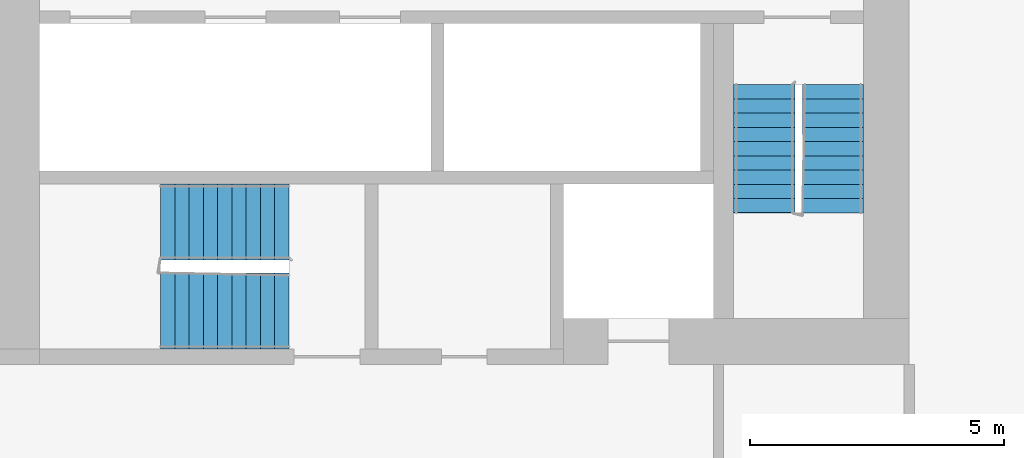
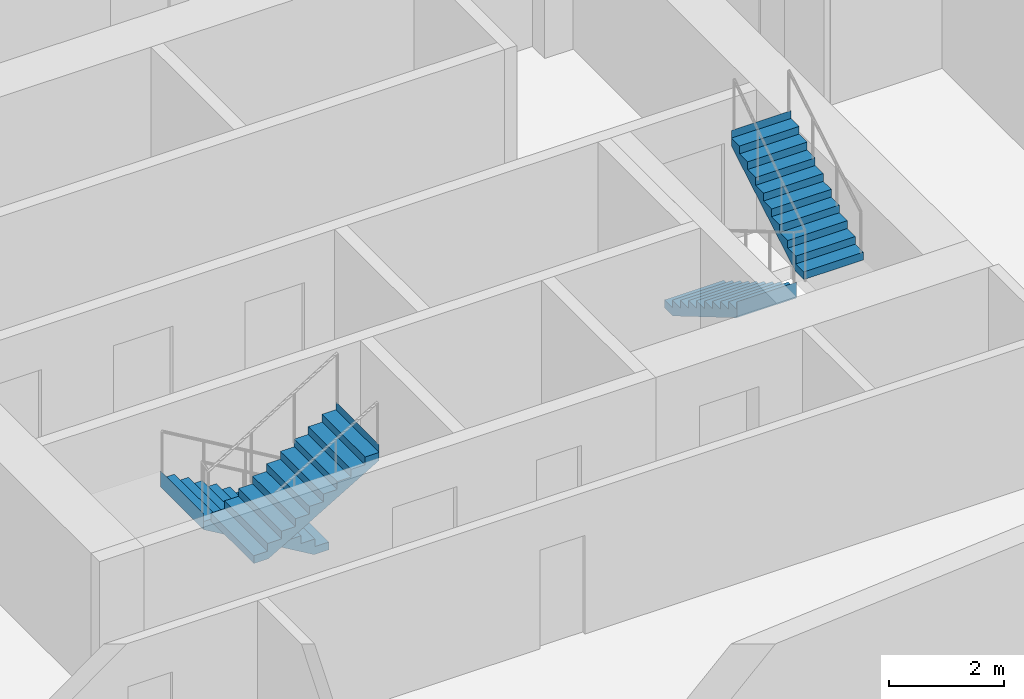
# One storey, part 9 of 12: 4 stair flights, 2 elements without a shape of their own.
"""IFC4 building model written with IfcOpenShell, lengths in metres."""

from ifc_helpers import new_model, si_unit, direction, frame, origin, place, context, subcontext, project, spatial, faceted_brep, material, type_object, element, aggregate, save


model = new_model("IFC4")

# Units and contexts
model_context = context("Model", 3, precision=1e-05, world=origin(), true_north=direction((0.0, 1.0)))
body_context = subcontext(model_context, "Body", "Model", "MODEL_VIEW")
ifc_project = project(units=[si_unit("LENGTHUNIT", "METRE"), si_unit("AREAUNIT", "SQUARE_METRE"), si_unit("VOLUMEUNIT", "CUBIC_METRE"), si_unit("PLANEANGLEUNIT", "RADIAN"), si_unit("MASSUNIT", "GRAM", prefix="KILO")], contexts=[model_context])

# Site, building, storey
site_placement = place(None, origin())
site = spatial("IfcSite", under=ifc_project, at=site_placement, CompositionType="ELEMENT")
building_placement = place(site_placement, origin())
building = spatial("IfcBuilding", under=site, at=building_placement, Name="Kajstack Hotel Tower", CompositionType="ELEMENT")
storey_placement = place(building_placement, frame((0.0, 0.0, 117.39990234375)))
storey = spatial("IfcBuildingStorey", under=building, at=storey_placement, Name="L25", CompositionType="ELEMENT", Elevation=117.39990234375)

# Stair, stair flights
ifc_material = material(Name="Concrete C40/50", Category="concrete")
stair_type_1 = type_object("IfcStairType", Name="Exit stair 1200", PredefinedType="HALF_TURN_STAIR", material=ifc_material)
stair_1_placement = place(storey_placement, origin())
stair_1 = element("IfcStair", 1, at=stair_1_placement, inside=storey, type_object=stair_type_1, Name="L25 stair W2", PredefinedType="HALF_TURN_STAIR")
stair_flight_type_1 = type_object("IfcStairFlightType", Name="Exit stair flight 1200", PredefinedType="STRAIGHT", material=ifc_material)
stair_flight_1_placement = place(storey_placement, frame((-16.35009765625, -10.0, 0.0), z_axis=(0.0, 0.0, 1.0), x_axis=(0.0, -1.0, 0.0)))
stair_flight_1 = element("IfcStairFlight", 2, at=stair_flight_1_placement, type_object=stair_flight_type_1, Name="W2 flight 1", NumberOfRisers=10, NumberOfTreads=9, PredefinedType="STRAIGHT", RiserHeight=0.165, TreadLength=0.28, context=body_context, shape_type="Brep", body=[
    faceted_brep([(0.295654296875, -0.60009765625, 0.0), (2.5205078125, -0.60009765625, 1.31103515625), (2.5205078125, -0.60009765625, 1.64990234375), (2.52001953125, -0.60009765625, 1.64990234375), (2.52001953125, -0.60009765625, 1.485107421875), (2.239990234375, -0.60009765625, 1.485107421875), (2.239990234375, -0.60009765625, 1.320068359375), (1.9599609375, -0.60009765625, 1.320068359375), (1.9599609375, -0.60009765625, 1.155029296875), (1.679931640625, -0.60009765625, 1.155029296875), (1.679931640625, -0.60009765625, 0.989990234375), (1.39990234375, -0.60009765625, 0.989990234375), (1.39990234375, -0.60009765625, 0.824951171875), (1.1201171875, -0.60009765625, 0.824951171875), (1.1201171875, -0.60009765625, 0.659912109375), (0.840087890625, -0.60009765625, 0.659912109375), (0.840087890625, -0.60009765625, 0.4951171875), (0.56005859375, -0.60009765625, 0.4951171875), (0.56005859375, -0.60009765625, 0.330078125), (0.280029296875, -0.60009765625, 0.330078125), (0.280029296875, -0.60009765625, 0.1650390625), (-0.00048828125, -0.60009765625, 0.1650390625), (-0.00048828125, -0.60009765625, 0.0), (-0.00048828125, 0.60009765625, 0.0), (-0.00048828125, 0.60009765625, 0.1650390625), (0.280029296875, 0.60009765625, 0.1650390625), (0.280029296875, 0.60009765625, 0.330078125), (0.56005859375, 0.60009765625, 0.330078125), (0.56005859375, 0.60009765625, 0.4951171875), (0.840087890625, 0.60009765625, 0.4951171875), (0.840087890625, 0.60009765625, 0.659912109375), (1.1201171875, 0.60009765625, 0.659912109375), (1.1201171875, 0.60009765625, 0.824951171875), (1.39990234375, 0.60009765625, 0.824951171875), (1.39990234375, 0.60009765625, 0.989990234375), (1.679931640625, 0.60009765625, 0.989990234375), (1.679931640625, 0.60009765625, 1.155029296875), (1.9599609375, 0.60009765625, 1.155029296875), (1.9599609375, 0.60009765625, 1.320068359375), (2.239990234375, 0.60009765625, 1.320068359375), (2.239990234375, 0.60009765625, 1.485107421875), (2.52001953125, 0.60009765625, 1.485107421875), (2.52001953125, 0.60009765625, 1.64990234375), (2.5205078125, 0.60009765625, 1.64990234375), (2.5205078125, 0.60009765625, 1.31103515625), (0.295654296875, 0.60009765625, 0.0), (-0.00048828125, -0.300048828125, 0.1650390625), (-0.00048828125, 0.0, 0.1650390625), (-0.00048828125, 0.300048828125, 0.1650390625), (-0.00048828125, 0.300048828125, 0.0), (-0.00048828125, 0.0, 0.0), (-0.00048828125, -0.300048828125, 0.0), (0.280029296875, -0.300048828125, 0.1650390625), (0.280029296875, 0.0, 0.1650390625), (0.280029296875, 0.300048828125, 0.1650390625), (0.280029296875, -0.300048828125, 0.330078125), (0.280029296875, 0.0, 0.330078125), (0.280029296875, 0.300048828125, 0.330078125), (0.56005859375, -0.300048828125, 0.330078125), (0.56005859375, 0.0, 0.330078125), (0.56005859375, 0.300048828125, 0.330078125), (0.56005859375, -0.300048828125, 0.4951171875), (0.56005859375, 0.0, 0.4951171875), (0.56005859375, 0.300048828125, 0.4951171875), (0.840087890625, -0.300048828125, 0.4951171875), (0.840087890625, 0.0, 0.4951171875), (0.840087890625, 0.300048828125, 0.4951171875), (0.840087890625, -0.300048828125, 0.659912109375), (0.840087890625, 0.0, 0.659912109375), (0.840087890625, 0.300048828125, 0.659912109375), (1.1201171875, -0.300048828125, 0.659912109375), (1.1201171875, 0.0, 0.659912109375), (1.1201171875, 0.300048828125, 0.659912109375), (1.1201171875, -0.300048828125, 0.824951171875), (1.1201171875, 0.0, 0.824951171875), (1.1201171875, 0.300048828125, 0.824951171875), (1.39990234375, -0.300048828125, 0.824951171875), (1.39990234375, 0.0, 0.824951171875), (1.39990234375, 0.300048828125, 0.824951171875), (1.39990234375, -0.300048828125, 0.989990234375), (1.39990234375, 0.0, 0.989990234375), (1.39990234375, 0.300048828125, 0.989990234375), (1.679931640625, -0.300048828125, 0.989990234375), (1.679931640625, 0.0, 0.989990234375), (1.679931640625, 0.300048828125, 0.989990234375), (1.679931640625, -0.300048828125, 1.155029296875), (1.679931640625, 0.0, 1.155029296875), (1.679931640625, 0.300048828125, 1.155029296875), (1.9599609375, -0.300048828125, 1.155029296875), (1.9599609375, 0.0, 1.155029296875), (1.9599609375, 0.300048828125, 1.155029296875), (1.9599609375, -0.300048828125, 1.320068359375), (1.9599609375, 0.0, 1.320068359375), (1.9599609375, 0.300048828125, 1.320068359375), (2.239990234375, -0.300048828125, 1.320068359375), (2.239990234375, 0.0, 1.320068359375), (2.239990234375, 0.300048828125, 1.320068359375), (2.239990234375, -0.300048828125, 1.485107421875), (2.239990234375, 0.0, 1.485107421875), (2.239990234375, 0.300048828125, 1.485107421875), (2.52001953125, -0.300048828125, 1.485107421875), (2.52001953125, 0.0, 1.485107421875), (2.52001953125, 0.300048828125, 1.485107421875), (2.52001953125, -0.300048828125, 1.64990234375), (2.52001953125, 0.0, 1.64990234375), (2.52001953125, 0.300048828125, 1.64990234375), (2.5205078125, -0.300048828125, 1.64990234375), (2.5205078125, 0.0, 1.64990234375), (2.5205078125, 0.300048828125, 1.64990234375), (2.5205078125, -0.300048828125, 1.31103515625), (2.5205078125, 0.0, 1.31103515625), (2.5205078125, 0.300048828125, 1.31103515625), (0.295654296875, -0.300048828125, 0.0), (0.295654296875, 0.0, 0.0), (0.295654296875, 0.300048828125, 0.0)], [[[0, 1, 2, 3, 4, 5, 6, 7, 8, 9, 10, 11, 12, 13, 14, 15, 16, 17, 18, 19, 20, 21, 22]], [[23, 24, 25, 26, 27, 28, 29, 30, 31, 32, 33, 34, 35, 36, 37, 38, 39, 40, 41, 42, 43, 44, 45]], [[21, 46, 47, 48, 24, 23, 49, 50, 51, 22]], [[20, 52, 53, 54, 25, 24, 48, 47, 46, 21]], [[19, 55, 56, 57, 26, 25, 54, 53, 52, 20]], [[18, 58, 59, 60, 27, 26, 57, 56, 55, 19]], [[17, 61, 62, 63, 28, 27, 60, 59, 58, 18]], [[16, 64, 65, 66, 29, 28, 63, 62, 61, 17]], [[15, 67, 68, 69, 30, 29, 66, 65, 64, 16]], [[14, 70, 71, 72, 31, 30, 69, 68, 67, 15]], [[13, 73, 74, 75, 32, 31, 72, 71, 70, 14]], [[12, 76, 77, 78, 33, 32, 75, 74, 73, 13]], [[11, 79, 80, 81, 34, 33, 78, 77, 76, 12]], [[10, 82, 83, 84, 35, 34, 81, 80, 79, 11]], [[9, 85, 86, 87, 36, 35, 84, 83, 82, 10]], [[8, 88, 89, 90, 37, 36, 87, 86, 85, 9]], [[7, 91, 92, 93, 38, 37, 90, 89, 88, 8]], [[6, 94, 95, 96, 39, 38, 93, 92, 91, 7]], [[5, 97, 98, 99, 40, 39, 96, 95, 94, 6]], [[4, 100, 101, 102, 41, 40, 99, 98, 97, 5]], [[3, 103, 104, 105, 42, 41, 102, 101, 100, 4]], [[2, 106, 107, 108, 43, 42, 105, 104, 103, 3]], [[1, 109, 110, 111, 44, 43, 108, 107, 106, 2]], [[0, 112, 113, 114, 45, 44, 111, 110, 109, 1]], [[22, 51, 50, 49, 23, 45, 114, 113, 112, 0]]]),
])
stair_flight_2_placement = place(storey_placement, frame((-15.0, -12.52001953125, 1.650146484375), z_axis=(0.0, 0.0, 1.0), x_axis=(0.0, 1.0, 0.0)))
stair_flight_2 = element("IfcStairFlight", 3, at=stair_flight_2_placement, type_object=stair_flight_type_1, Name="W2 flight 2", NumberOfRisers=10, NumberOfTreads=9, PredefinedType="STRAIGHT", RiserHeight=0.165, TreadLength=0.28, context=body_context, shape_type="Brep", body=[
    faceted_brep([(0.295654296875, -0.60009765625, 0.0), (2.5205078125, -0.60009765625, 1.31103515625), (2.5205078125, -0.60009765625, 1.64990234375), (2.52001953125, -0.60009765625, 1.64990234375), (2.52001953125, -0.60009765625, 1.485107421875), (2.239990234375, -0.60009765625, 1.485107421875), (2.239990234375, -0.60009765625, 1.320068359375), (1.9599609375, -0.60009765625, 1.320068359375), (1.9599609375, -0.60009765625, 1.155029296875), (1.679931640625, -0.60009765625, 1.155029296875), (1.679931640625, -0.60009765625, 0.989990234375), (1.39990234375, -0.60009765625, 0.989990234375), (1.39990234375, -0.60009765625, 0.824951171875), (1.1201171875, -0.60009765625, 0.824951171875), (1.1201171875, -0.60009765625, 0.659912109375), (0.840087890625, -0.60009765625, 0.659912109375), (0.840087890625, -0.60009765625, 0.4951171875), (0.56005859375, -0.60009765625, 0.4951171875), (0.56005859375, -0.60009765625, 0.330078125), (0.280029296875, -0.60009765625, 0.330078125), (0.280029296875, -0.60009765625, 0.1650390625), (-0.00048828125, -0.60009765625, 0.1650390625), (-0.00048828125, -0.60009765625, 0.0), (-0.00048828125, 0.60009765625, 0.0), (-0.00048828125, 0.60009765625, 0.1650390625), (0.280029296875, 0.60009765625, 0.1650390625), (0.280029296875, 0.60009765625, 0.330078125), (0.56005859375, 0.60009765625, 0.330078125), (0.56005859375, 0.60009765625, 0.4951171875), (0.840087890625, 0.60009765625, 0.4951171875), (0.840087890625, 0.60009765625, 0.659912109375), (1.1201171875, 0.60009765625, 0.659912109375), (1.1201171875, 0.60009765625, 0.824951171875), (1.39990234375, 0.60009765625, 0.824951171875), (1.39990234375, 0.60009765625, 0.989990234375), (1.679931640625, 0.60009765625, 0.989990234375), (1.679931640625, 0.60009765625, 1.155029296875), (1.9599609375, 0.60009765625, 1.155029296875), (1.9599609375, 0.60009765625, 1.320068359375), (2.239990234375, 0.60009765625, 1.320068359375), (2.239990234375, 0.60009765625, 1.485107421875), (2.52001953125, 0.60009765625, 1.485107421875), (2.52001953125, 0.60009765625, 1.64990234375), (2.5205078125, 0.60009765625, 1.64990234375), (2.5205078125, 0.60009765625, 1.31103515625), (0.295654296875, 0.60009765625, 0.0), (-0.00048828125, -0.300048828125, 0.1650390625), (-0.00048828125, 0.0, 0.1650390625), (-0.00048828125, 0.300048828125, 0.1650390625), (-0.00048828125, 0.300048828125, 0.0), (-0.00048828125, 0.0, 0.0), (-0.00048828125, -0.300048828125, 0.0), (0.280029296875, -0.300048828125, 0.1650390625), (0.280029296875, 0.0, 0.1650390625), (0.280029296875, 0.300048828125, 0.1650390625), (0.280029296875, -0.300048828125, 0.330078125), (0.280029296875, 0.0, 0.330078125), (0.280029296875, 0.300048828125, 0.330078125), (0.56005859375, -0.300048828125, 0.330078125), (0.56005859375, 0.0, 0.330078125), (0.56005859375, 0.300048828125, 0.330078125), (0.56005859375, -0.300048828125, 0.4951171875), (0.56005859375, 0.0, 0.4951171875), (0.56005859375, 0.300048828125, 0.4951171875), (0.840087890625, -0.300048828125, 0.4951171875), (0.840087890625, 0.0, 0.4951171875), (0.840087890625, 0.300048828125, 0.4951171875), (0.840087890625, -0.300048828125, 0.659912109375), (0.840087890625, 0.0, 0.659912109375), (0.840087890625, 0.300048828125, 0.659912109375), (1.1201171875, -0.300048828125, 0.659912109375), (1.1201171875, 0.0, 0.659912109375), (1.1201171875, 0.300048828125, 0.659912109375), (1.1201171875, -0.300048828125, 0.824951171875), (1.1201171875, 0.0, 0.824951171875), (1.1201171875, 0.300048828125, 0.824951171875), (1.39990234375, -0.300048828125, 0.824951171875), (1.39990234375, 0.0, 0.824951171875), (1.39990234375, 0.300048828125, 0.824951171875), (1.39990234375, -0.300048828125, 0.989990234375), (1.39990234375, 0.0, 0.989990234375), (1.39990234375, 0.300048828125, 0.989990234375), (1.679931640625, -0.300048828125, 0.989990234375), (1.679931640625, 0.0, 0.989990234375), (1.679931640625, 0.300048828125, 0.989990234375), (1.679931640625, -0.300048828125, 1.155029296875), (1.679931640625, 0.0, 1.155029296875), (1.679931640625, 0.300048828125, 1.155029296875), (1.9599609375, -0.300048828125, 1.155029296875), (1.9599609375, 0.0, 1.155029296875), (1.9599609375, 0.300048828125, 1.155029296875), (1.9599609375, -0.300048828125, 1.320068359375), (1.9599609375, 0.0, 1.320068359375), (1.9599609375, 0.300048828125, 1.320068359375), (2.239990234375, -0.300048828125, 1.320068359375), (2.239990234375, 0.0, 1.320068359375), (2.239990234375, 0.300048828125, 1.320068359375), (2.239990234375, -0.300048828125, 1.485107421875), (2.239990234375, 0.0, 1.485107421875), (2.239990234375, 0.300048828125, 1.485107421875), (2.52001953125, -0.300048828125, 1.485107421875), (2.52001953125, 0.0, 1.485107421875), (2.52001953125, 0.300048828125, 1.485107421875), (2.52001953125, -0.300048828125, 1.64990234375), (2.52001953125, 0.0, 1.64990234375), (2.52001953125, 0.300048828125, 1.64990234375), (2.5205078125, -0.300048828125, 1.64990234375), (2.5205078125, 0.0, 1.64990234375), (2.5205078125, 0.300048828125, 1.64990234375), (2.5205078125, -0.300048828125, 1.31103515625), (2.5205078125, 0.0, 1.31103515625), (2.5205078125, 0.300048828125, 1.31103515625), (0.295654296875, -0.300048828125, 0.0), (0.295654296875, 0.0, 0.0), (0.295654296875, 0.300048828125, 0.0)], [[[0, 1, 2, 3, 4, 5, 6, 7, 8, 9, 10, 11, 12, 13, 14, 15, 16, 17, 18, 19, 20, 21, 22]], [[23, 24, 25, 26, 27, 28, 29, 30, 31, 32, 33, 34, 35, 36, 37, 38, 39, 40, 41, 42, 43, 44, 45]], [[21, 46, 47, 48, 24, 23, 49, 50, 51, 22]], [[20, 52, 53, 54, 25, 24, 48, 47, 46, 21]], [[19, 55, 56, 57, 26, 25, 54, 53, 52, 20]], [[18, 58, 59, 60, 27, 26, 57, 56, 55, 19]], [[17, 61, 62, 63, 28, 27, 60, 59, 58, 18]], [[16, 64, 65, 66, 29, 28, 63, 62, 61, 17]], [[15, 67, 68, 69, 30, 29, 66, 65, 64, 16]], [[14, 70, 71, 72, 31, 30, 69, 68, 67, 15]], [[13, 73, 74, 75, 32, 31, 72, 71, 70, 14]], [[12, 76, 77, 78, 33, 32, 75, 74, 73, 13]], [[11, 79, 80, 81, 34, 33, 78, 77, 76, 12]], [[10, 82, 83, 84, 35, 34, 81, 80, 79, 11]], [[9, 85, 86, 87, 36, 35, 84, 83, 82, 10]], [[8, 88, 89, 90, 37, 36, 87, 86, 85, 9]], [[7, 91, 92, 93, 38, 37, 90, 89, 88, 8]], [[6, 94, 95, 96, 39, 38, 93, 92, 91, 7]], [[5, 97, 98, 99, 40, 39, 96, 95, 94, 6]], [[4, 100, 101, 102, 41, 40, 99, 98, 97, 5]], [[3, 103, 104, 105, 42, 41, 102, 101, 100, 4]], [[2, 106, 107, 108, 43, 42, 105, 104, 103, 3]], [[1, 109, 110, 111, 44, 43, 108, 107, 106, 2]], [[0, 112, 113, 114, 45, 44, 111, 110, 109, 1]], [[22, 51, 50, 49, 23, 45, 114, 113, 112, 0]]]),
])
aggregate(stair_1, [stair_flight_1, stair_flight_2])

stair_type_2 = type_object("IfcStairType", Name="Exit stair 1500", PredefinedType="HALF_TURN_STAIR", material=ifc_material)
stair_2_placement = place(storey_placement, origin())
stair_2 = element("IfcStair", 4, at=stair_2_placement, inside=storey, type_object=stair_type_2, Name="L25 stair W3", PredefinedType="HALF_TURN_STAIR")
stair_flight_type_2 = type_object("IfcStairFlightType", Name="Exit stair flight 1500", PredefinedType="STRAIGHT", material=ifc_material)
stair_flight_3_placement = place(storey_placement, frame((-25.699951171875, -12.699951171875, 0.0), z_axis=(0.0, 0.0, 1.0), x_axis=(-1.0, 0.0, 0.0)))
stair_flight_3 = element("IfcStairFlight", 5, at=stair_flight_3_placement, type_object=stair_flight_type_2, Name="W3 flight 1", NumberOfRisers=10, NumberOfTreads=9, PredefinedType="STRAIGHT", RiserHeight=0.165, TreadLength=0.28, context=body_context, shape_type="Brep", body=[
    faceted_brep([(0.295654296875, -0.75, 0.0), (2.5205078125, -0.75, 1.31103515625), (2.5205078125, -0.75, 1.64990234375), (2.52001953125, -0.75, 1.64990234375), (2.52001953125, -0.75, 1.485107421875), (2.239990234375, -0.75, 1.485107421875), (2.239990234375, -0.75, 1.320068359375), (1.9599609375, -0.75, 1.320068359375), (1.9599609375, -0.75, 1.155029296875), (1.679931640625, -0.75, 1.155029296875), (1.679931640625, -0.75, 0.989990234375), (1.39990234375, -0.75, 0.989990234375), (1.39990234375, -0.75, 0.824951171875), (1.1201171875, -0.75, 0.824951171875), (1.1201171875, -0.75, 0.659912109375), (0.840087890625, -0.75, 0.659912109375), (0.840087890625, -0.75, 0.4951171875), (0.56005859375, -0.75, 0.4951171875), (0.56005859375, -0.75, 0.330078125), (0.280029296875, -0.75, 0.330078125), (0.280029296875, -0.75, 0.1650390625), (-0.00048828125, -0.75, 0.1650390625), (-0.00048828125, -0.75, 0.0), (-0.00048828125, 0.75, 0.0), (-0.00048828125, 0.75, 0.1650390625), (0.280029296875, 0.75, 0.1650390625), (0.280029296875, 0.75, 0.330078125), (0.56005859375, 0.75, 0.330078125), (0.56005859375, 0.75, 0.4951171875), (0.840087890625, 0.75, 0.4951171875), (0.840087890625, 0.75, 0.659912109375), (1.1201171875, 0.75, 0.659912109375), (1.1201171875, 0.75, 0.824951171875), (1.39990234375, 0.75, 0.824951171875), (1.39990234375, 0.75, 0.989990234375), (1.679931640625, 0.75, 0.989990234375), (1.679931640625, 0.75, 1.155029296875), (1.9599609375, 0.75, 1.155029296875), (1.9599609375, 0.75, 1.320068359375), (2.239990234375, 0.75, 1.320068359375), (2.239990234375, 0.75, 1.485107421875), (2.52001953125, 0.75, 1.485107421875), (2.52001953125, 0.75, 1.64990234375), (2.5205078125, 0.75, 1.64990234375), (2.5205078125, 0.75, 1.31103515625), (0.295654296875, 0.75, 0.0), (-0.00048828125, -0.375, 0.1650390625), (-0.00048828125, 0.0, 0.1650390625), (-0.00048828125, 0.375, 0.1650390625), (-0.00048828125, 0.375, 0.0), (-0.00048828125, 0.0, 0.0), (-0.00048828125, -0.375, 0.0), (0.280029296875, -0.375, 0.1650390625), (0.280029296875, 0.0, 0.1650390625), (0.280029296875, 0.375, 0.1650390625), (0.280029296875, -0.375, 0.330078125), (0.280029296875, 0.0, 0.330078125), (0.280029296875, 0.375, 0.330078125), (0.56005859375, -0.375, 0.330078125), (0.56005859375, 0.0, 0.330078125), (0.56005859375, 0.375, 0.330078125), (0.56005859375, -0.375, 0.4951171875), (0.56005859375, 0.0, 0.4951171875), (0.56005859375, 0.375, 0.4951171875), (0.840087890625, -0.375, 0.4951171875), (0.840087890625, 0.0, 0.4951171875), (0.840087890625, 0.375, 0.4951171875), (0.840087890625, -0.375, 0.659912109375), (0.840087890625, 0.0, 0.659912109375), (0.840087890625, 0.375, 0.659912109375), (1.1201171875, -0.375, 0.659912109375), (1.1201171875, 0.0, 0.659912109375), (1.1201171875, 0.375, 0.659912109375), (1.1201171875, -0.375, 0.824951171875), (1.1201171875, 0.0, 0.824951171875), (1.1201171875, 0.375, 0.824951171875), (1.39990234375, -0.375, 0.824951171875), (1.39990234375, 0.0, 0.824951171875), (1.39990234375, 0.375, 0.824951171875), (1.39990234375, -0.375, 0.989990234375), (1.39990234375, 0.0, 0.989990234375), (1.39990234375, 0.375, 0.989990234375), (1.679931640625, -0.375, 0.989990234375), (1.679931640625, 0.0, 0.989990234375), (1.679931640625, 0.375, 0.989990234375), (1.679931640625, -0.375, 1.155029296875), (1.679931640625, 0.0, 1.155029296875), (1.679931640625, 0.375, 1.155029296875), (1.9599609375, -0.375, 1.155029296875), (1.9599609375, 0.0, 1.155029296875), (1.9599609375, 0.375, 1.155029296875), (1.9599609375, -0.375, 1.320068359375), (1.9599609375, 0.0, 1.320068359375), (1.9599609375, 0.375, 1.320068359375), (2.239990234375, -0.375, 1.320068359375), (2.239990234375, 0.0, 1.320068359375), (2.239990234375, 0.375, 1.320068359375), (2.239990234375, -0.375, 1.485107421875), (2.239990234375, 0.0, 1.485107421875), (2.239990234375, 0.375, 1.485107421875), (2.52001953125, -0.375, 1.485107421875), (2.52001953125, 0.0, 1.485107421875), (2.52001953125, 0.375, 1.485107421875), (2.52001953125, -0.375, 1.64990234375), (2.52001953125, 0.0, 1.64990234375), (2.52001953125, 0.375, 1.64990234375), (2.5205078125, -0.375, 1.64990234375), (2.5205078125, 0.0, 1.64990234375), (2.5205078125, 0.375, 1.64990234375), (2.5205078125, -0.375, 1.31103515625), (2.5205078125, 0.0, 1.31103515625), (2.5205078125, 0.375, 1.31103515625), (0.295654296875, -0.375, 0.0), (0.295654296875, 0.0, 0.0), (0.295654296875, 0.375, 0.0)], [[[0, 1, 2, 3, 4, 5, 6, 7, 8, 9, 10, 11, 12, 13, 14, 15, 16, 17, 18, 19, 20, 21, 22]], [[23, 24, 25, 26, 27, 28, 29, 30, 31, 32, 33, 34, 35, 36, 37, 38, 39, 40, 41, 42, 43, 44, 45]], [[21, 46, 47, 48, 24, 23, 49, 50, 51, 22]], [[20, 52, 53, 54, 25, 24, 48, 47, 46, 21]], [[19, 55, 56, 57, 26, 25, 54, 53, 52, 20]], [[18, 58, 59, 60, 27, 26, 57, 56, 55, 19]], [[17, 61, 62, 63, 28, 27, 60, 59, 58, 18]], [[16, 64, 65, 66, 29, 28, 63, 62, 61, 17]], [[15, 67, 68, 69, 30, 29, 66, 65, 64, 16]], [[14, 70, 71, 72, 31, 30, 69, 68, 67, 15]], [[13, 73, 74, 75, 32, 31, 72, 71, 70, 14]], [[12, 76, 77, 78, 33, 32, 75, 74, 73, 13]], [[11, 79, 80, 81, 34, 33, 78, 77, 76, 12]], [[10, 82, 83, 84, 35, 34, 81, 80, 79, 11]], [[9, 85, 86, 87, 36, 35, 84, 83, 82, 10]], [[8, 88, 89, 90, 37, 36, 87, 86, 85, 9]], [[7, 91, 92, 93, 38, 37, 90, 89, 88, 8]], [[6, 94, 95, 96, 39, 38, 93, 92, 91, 7]], [[5, 97, 98, 99, 40, 39, 96, 95, 94, 6]], [[4, 100, 101, 102, 41, 40, 99, 98, 97, 5]], [[3, 103, 104, 105, 42, 41, 102, 101, 100, 4]], [[2, 106, 107, 108, 43, 42, 105, 104, 103, 3]], [[1, 109, 110, 111, 44, 43, 108, 107, 106, 2]], [[0, 112, 113, 114, 45, 44, 111, 110, 109, 1]], [[22, 51, 50, 49, 23, 45, 114, 113, 112, 0]]]),
])
stair_flight_4_placement = place(storey_placement, frame((-28.219970703125, -14.449951171875, 1.650146484375), z_axis=(0.0, 0.0, 1.0), x_axis=(1.0, 0.0, 0.0)))
stair_flight_4 = element("IfcStairFlight", 6, at=stair_flight_4_placement, type_object=stair_flight_type_2, Name="W3 flight 2", NumberOfRisers=10, NumberOfTreads=9, PredefinedType="STRAIGHT", RiserHeight=0.165, TreadLength=0.28, context=body_context, shape_type="Brep", body=[
    faceted_brep([(0.295654296875, -0.75, 0.0), (2.5205078125, -0.75, 1.31103515625), (2.5205078125, -0.75, 1.64990234375), (2.52001953125, -0.75, 1.64990234375), (2.52001953125, -0.75, 1.485107421875), (2.239990234375, -0.75, 1.485107421875), (2.239990234375, -0.75, 1.320068359375), (1.9599609375, -0.75, 1.320068359375), (1.9599609375, -0.75, 1.155029296875), (1.679931640625, -0.75, 1.155029296875), (1.679931640625, -0.75, 0.989990234375), (1.39990234375, -0.75, 0.989990234375), (1.39990234375, -0.75, 0.824951171875), (1.1201171875, -0.75, 0.824951171875), (1.1201171875, -0.75, 0.659912109375), (0.840087890625, -0.75, 0.659912109375), (0.840087890625, -0.75, 0.4951171875), (0.56005859375, -0.75, 0.4951171875), (0.56005859375, -0.75, 0.330078125), (0.280029296875, -0.75, 0.330078125), (0.280029296875, -0.75, 0.1650390625), (-0.00048828125, -0.75, 0.1650390625), (-0.00048828125, -0.75, 0.0), (-0.00048828125, 0.75, 0.0), (-0.00048828125, 0.75, 0.1650390625), (0.280029296875, 0.75, 0.1650390625), (0.280029296875, 0.75, 0.330078125), (0.56005859375, 0.75, 0.330078125), (0.56005859375, 0.75, 0.4951171875), (0.840087890625, 0.75, 0.4951171875), (0.840087890625, 0.75, 0.659912109375), (1.1201171875, 0.75, 0.659912109375), (1.1201171875, 0.75, 0.824951171875), (1.39990234375, 0.75, 0.824951171875), (1.39990234375, 0.75, 0.989990234375), (1.679931640625, 0.75, 0.989990234375), (1.679931640625, 0.75, 1.155029296875), (1.9599609375, 0.75, 1.155029296875), (1.9599609375, 0.75, 1.320068359375), (2.239990234375, 0.75, 1.320068359375), (2.239990234375, 0.75, 1.485107421875), (2.52001953125, 0.75, 1.485107421875), (2.52001953125, 0.75, 1.64990234375), (2.5205078125, 0.75, 1.64990234375), (2.5205078125, 0.75, 1.31103515625), (0.295654296875, 0.75, 0.0), (-0.00048828125, -0.375, 0.1650390625), (-0.00048828125, 0.0, 0.1650390625), (-0.00048828125, 0.375, 0.1650390625), (-0.00048828125, 0.375, 0.0), (-0.00048828125, 0.0, 0.0), (-0.00048828125, -0.375, 0.0), (0.280029296875, -0.375, 0.1650390625), (0.280029296875, 0.0, 0.1650390625), (0.280029296875, 0.375, 0.1650390625), (0.280029296875, -0.375, 0.330078125), (0.280029296875, 0.0, 0.330078125), (0.280029296875, 0.375, 0.330078125), (0.56005859375, -0.375, 0.330078125), (0.56005859375, 0.0, 0.330078125), (0.56005859375, 0.375, 0.330078125), (0.56005859375, -0.375, 0.4951171875), (0.56005859375, 0.0, 0.4951171875), (0.56005859375, 0.375, 0.4951171875), (0.840087890625, -0.375, 0.4951171875), (0.840087890625, 0.0, 0.4951171875), (0.840087890625, 0.375, 0.4951171875), (0.840087890625, -0.375, 0.659912109375), (0.840087890625, 0.0, 0.659912109375), (0.840087890625, 0.375, 0.659912109375), (1.1201171875, -0.375, 0.659912109375), (1.1201171875, 0.0, 0.659912109375), (1.1201171875, 0.375, 0.659912109375), (1.1201171875, -0.375, 0.824951171875), (1.1201171875, 0.0, 0.824951171875), (1.1201171875, 0.375, 0.824951171875), (1.39990234375, -0.375, 0.824951171875), (1.39990234375, 0.0, 0.824951171875), (1.39990234375, 0.375, 0.824951171875), (1.39990234375, -0.375, 0.989990234375), (1.39990234375, 0.0, 0.989990234375), (1.39990234375, 0.375, 0.989990234375), (1.679931640625, -0.375, 0.989990234375), (1.679931640625, 0.0, 0.989990234375), (1.679931640625, 0.375, 0.989990234375), (1.679931640625, -0.375, 1.155029296875), (1.679931640625, 0.0, 1.155029296875), (1.679931640625, 0.375, 1.155029296875), (1.9599609375, -0.375, 1.155029296875), (1.9599609375, 0.0, 1.155029296875), (1.9599609375, 0.375, 1.155029296875), (1.9599609375, -0.375, 1.320068359375), (1.9599609375, 0.0, 1.320068359375), (1.9599609375, 0.375, 1.320068359375), (2.239990234375, -0.375, 1.320068359375), (2.239990234375, 0.0, 1.320068359375), (2.239990234375, 0.375, 1.320068359375), (2.239990234375, -0.375, 1.485107421875), (2.239990234375, 0.0, 1.485107421875), (2.239990234375, 0.375, 1.485107421875), (2.52001953125, -0.375, 1.485107421875), (2.52001953125, 0.0, 1.485107421875), (2.52001953125, 0.375, 1.485107421875), (2.52001953125, -0.375, 1.64990234375), (2.52001953125, 0.0, 1.64990234375), (2.52001953125, 0.375, 1.64990234375), (2.5205078125, -0.375, 1.64990234375), (2.5205078125, 0.0, 1.64990234375), (2.5205078125, 0.375, 1.64990234375), (2.5205078125, -0.375, 1.31103515625), (2.5205078125, 0.0, 1.31103515625), (2.5205078125, 0.375, 1.31103515625), (0.295654296875, -0.375, 0.0), (0.295654296875, 0.0, 0.0), (0.295654296875, 0.375, 0.0)], [[[0, 1, 2, 3, 4, 5, 6, 7, 8, 9, 10, 11, 12, 13, 14, 15, 16, 17, 18, 19, 20, 21, 22]], [[23, 24, 25, 26, 27, 28, 29, 30, 31, 32, 33, 34, 35, 36, 37, 38, 39, 40, 41, 42, 43, 44, 45]], [[21, 46, 47, 48, 24, 23, 49, 50, 51, 22]], [[20, 52, 53, 54, 25, 24, 48, 47, 46, 21]], [[19, 55, 56, 57, 26, 25, 54, 53, 52, 20]], [[18, 58, 59, 60, 27, 26, 57, 56, 55, 19]], [[17, 61, 62, 63, 28, 27, 60, 59, 58, 18]], [[16, 64, 65, 66, 29, 28, 63, 62, 61, 17]], [[15, 67, 68, 69, 30, 29, 66, 65, 64, 16]], [[14, 70, 71, 72, 31, 30, 69, 68, 67, 15]], [[13, 73, 74, 75, 32, 31, 72, 71, 70, 14]], [[12, 76, 77, 78, 33, 32, 75, 74, 73, 13]], [[11, 79, 80, 81, 34, 33, 78, 77, 76, 12]], [[10, 82, 83, 84, 35, 34, 81, 80, 79, 11]], [[9, 85, 86, 87, 36, 35, 84, 83, 82, 10]], [[8, 88, 89, 90, 37, 36, 87, 86, 85, 9]], [[7, 91, 92, 93, 38, 37, 90, 89, 88, 8]], [[6, 94, 95, 96, 39, 38, 93, 92, 91, 7]], [[5, 97, 98, 99, 40, 39, 96, 95, 94, 6]], [[4, 100, 101, 102, 41, 40, 99, 98, 97, 5]], [[3, 103, 104, 105, 42, 41, 102, 101, 100, 4]], [[2, 106, 107, 108, 43, 42, 105, 104, 103, 3]], [[1, 109, 110, 111, 44, 43, 108, 107, 106, 2]], [[0, 112, 113, 114, 45, 44, 111, 110, 109, 1]], [[22, 51, 50, 49, 23, 45, 114, 113, 112, 0]]]),
])
aggregate(stair_2, [stair_flight_3, stair_flight_4])

save(model, "model.ifc")
